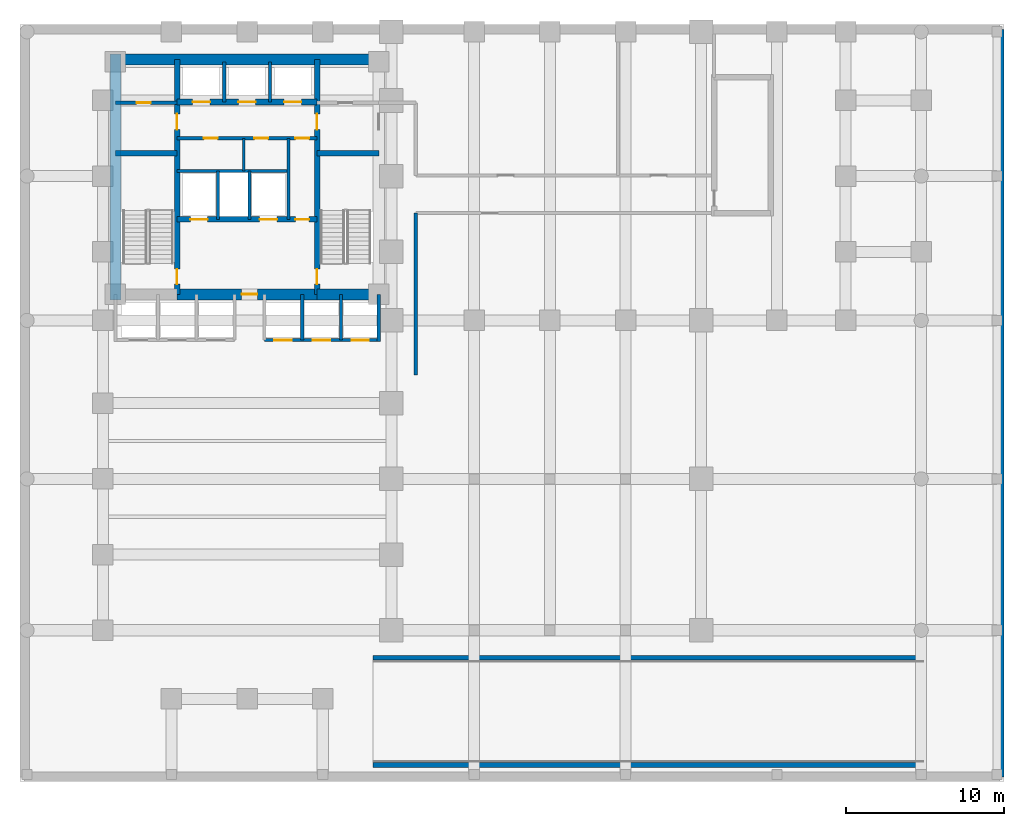
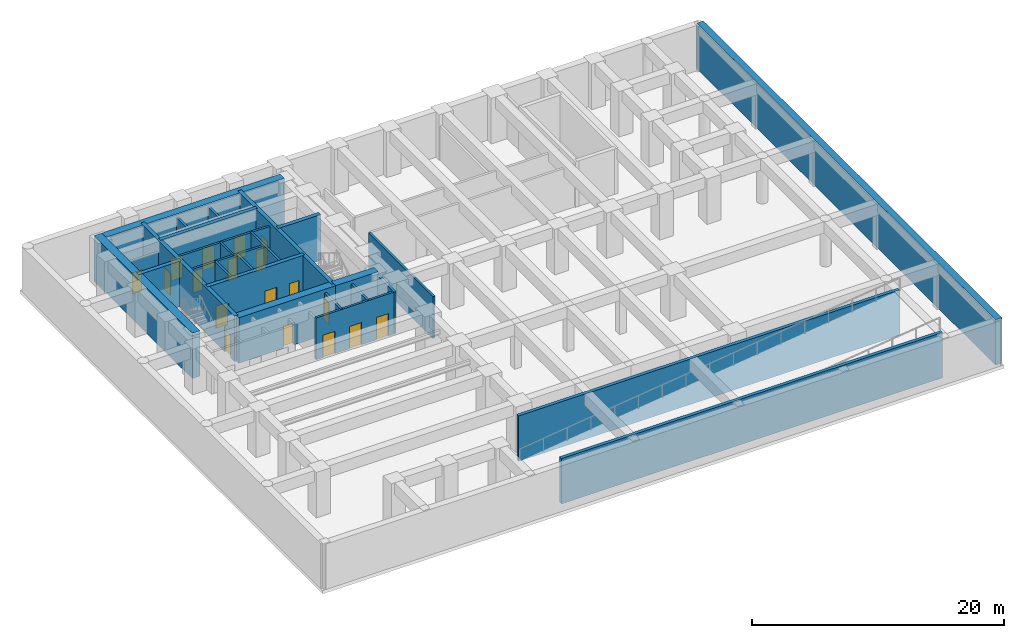
# One storey, part 3 of 6: 27 walls, 18 doors, 18 openings.
"""IFC4 building model written with IfcOpenShell, lengths in metres."""

from ifc_helpers import new_model, si_unit, direction, frame, frame_2d, origin, place, context, subcontext, project, spatial, rectangle, extrude, material, layer, layer_set, type_object, element, fill, save


model = new_model("IFC4")

# Units and contexts
model_context = context("Model", 3, precision=1e-05, world=origin(), true_north=direction((0.0, 1.0)))
body_context = subcontext(model_context, "Body", "Model", "MODEL_VIEW")
ifc_project = project(units=[si_unit("LENGTHUNIT", "METRE"), si_unit("AREAUNIT", "SQUARE_METRE"), si_unit("VOLUMEUNIT", "CUBIC_METRE"), si_unit("PLANEANGLEUNIT", "RADIAN"), si_unit("MASSUNIT", "GRAM", prefix="KILO")], contexts=[model_context])

# Site, building, storey
site_placement = place(None, origin())
site = spatial("IfcSite", under=ifc_project, at=site_placement, CompositionType="ELEMENT")
building_placement = place(site_placement, origin())
building = spatial("IfcBuilding", under=site, at=building_placement, Name="Orvandelia Arch Residences", CompositionType="ELEMENT")
storey_placement = place(building_placement, frame((0.0, 0.0, -4.39990234375)))
storey = spatial("IfcBuildingStorey", under=building, at=storey_placement, Name="B1", CompositionType="ELEMENT", Elevation=-4.39990234375)

# Wall, openings, doors
ifc_material_1 = material(Name="Concrete C50/60", Category="concrete")
ifc_layer_1 = layer(ifc_material_1, 0.35009765625, Name="Concrete C50/60", Category="concrete")
ifc_layer_set_1 = layer_set([ifc_layer_1], Name="Concrete C50/60")
wall_type_1 = type_object("IfcWallType", Name="WL-CORE-350", PredefinedType="SHEAR", material=ifc_layer_set_1)
wall_1_placement = place(storey_placement, frame((9.9599609375, 30.89990234375, 0.0), z_axis=(0.0, 0.0, 1.0), x_axis=(0.0, 1.0, 0.0)))
wall_1 = element("IfcWall", 1, at=wall_1_placement, inside=storey, type_object=wall_type_1, Name="Core Shear Wall B1-WEB1", PredefinedType="SHEAR", context=body_context, shape_type="SweptSolid", body=[
    extrude(rectangle(XDim=14.900146484375, YDim=0.35009765625, at=frame_2d((7.4501953125, 0.0))), origin(), (0.0, 0.0, 1.0), 4.39990234375),
])
opening_1_placement = place(wall_1_placement, frame((0.64990234375, 0.0, 0.0)))
opening_1 = element("IfcOpeningElement", 2, at=opening_1_placement, cuts=wall_1, Name="Opening D7", PredefinedType="OPENING", context=body_context, shape_type="SweptSolid", body=[
    extrude(rectangle(XDim=0.949951171875, YDim=2.10009765625, at=frame_2d((0.47509765625, 1.050048828125))), frame((0.0, 0.18505859375, 0.0), z_axis=(0.0, -1.0, 0.0), x_axis=(1.0, 0.0, 0.0)), (0.0, 0.0, 1.0), 0.3701171875),
])
opening_2_placement = place(wall_1_placement, frame((10.449951171875, 0.0, 0.0)))
opening_2 = element("IfcOpeningElement", 3, at=opening_2_placement, cuts=wall_1, Name="Opening D6", PredefinedType="OPENING", context=body_context, shape_type="SweptSolid", body=[
    extrude(rectangle(XDim=1.0, YDim=2.14990234375, at=frame_2d((0.5, 1.074951171875))), frame((0.0, 0.18505859375, 0.0), z_axis=(0.0, -1.0, 0.0), x_axis=(1.0, 0.0, 0.0)), (0.0, 0.0, 1.0), 0.3701171875),
])
ifc_material_2 = material(Name="Smokeproof Painted Steel Fire Door", Category="steel")
door_type_1 = type_object("IfcDoorType", Name="DR-FD60-1000", OperationType="NOTDEFINED", PredefinedType="DOOR", material=ifc_material_2)
door_1_placement = place(opening_2_placement, origin())
door_1 = element("IfcDoor", 4, at=door_1_placement, inside=storey, type_object=door_type_1, Name="High-Rise Lift Hall West Vestibule Door B1", OperationType="SINGLE_SWING_LEFT", OverallHeight=2.14990234375, OverallWidth=1.0, PredefinedType="DOOR", context=body_context, shape_type="SweptSolid", body=[
    extrude(rectangle(XDim=1.0, YDim=2.14990234375, at=frame_2d((0.5, 1.074951171875))), frame((0.0, 0.02490234375, 0.0), z_axis=(0.0, -1.0, 0.0), x_axis=(1.0, 0.0, 0.0)), (0.0, 0.0, 1.0), 0.050048828125),
])
fill(opening_2, door_1)
ifc_material_3 = material(Name="Pressurised Stairwell Fire Door")
door_type_2 = type_object("IfcDoorType", Name="DR-STAIR-950", OperationType="NOTDEFINED", PredefinedType="DOOR", material=ifc_material_3)
door_2_placement = place(opening_1_placement, origin())
door_2 = element("IfcDoor", 5, at=door_2_placement, inside=storey, type_object=door_type_2, Name="Stairwell ST-1 Fire Door B1", OperationType="SINGLE_SWING_LEFT", OverallHeight=2.10009765625, OverallWidth=0.949951171875, PredefinedType="DOOR", context=body_context, shape_type="SweptSolid", body=[
    extrude(rectangle(XDim=0.949951171875, YDim=2.10009765625, at=frame_2d((0.47509765625, 1.050048828125))), frame((0.0, 0.02490234375, 0.0), z_axis=(0.0, -1.0, 0.0), x_axis=(1.0, 0.0, 0.0)), (0.0, 0.0, 1.0), 0.050048828125),
])
fill(opening_1, door_2)

wall_2_placement = place(storey_placement, frame((18.840087890625, 30.89990234375, 0.0), z_axis=(0.0, 0.0, 1.0), x_axis=(0.0, 1.0, 0.0)))
wall_2 = element("IfcWall", 6, at=wall_2_placement, inside=storey, type_object=wall_type_1, Name="Core Shear Wall B1-WEB2", PredefinedType="SHEAR", context=body_context, shape_type="SweptSolid", body=[
    extrude(rectangle(XDim=14.900146484375, YDim=0.35009765625, at=frame_2d((7.4501953125, 0.0))), origin(), (0.0, 0.0, 1.0), 4.39990234375),
])
opening_3_placement = place(wall_2_placement, frame((0.64990234375, 0.0, 0.0)))
opening_3 = element("IfcOpeningElement", 7, at=opening_3_placement, cuts=wall_2, Name="Opening D7", PredefinedType="OPENING", context=body_context, shape_type="SweptSolid", body=[
    extrude(rectangle(XDim=0.949951171875, YDim=2.10009765625, at=frame_2d((0.47509765625, 1.050048828125))), frame((0.0, 0.18505859375, 0.0), z_axis=(0.0, -1.0, 0.0), x_axis=(1.0, 0.0, 0.0)), (0.0, 0.0, 1.0), 0.3701171875),
])
opening_4_placement = place(wall_2_placement, frame((10.449951171875, 0.0, 0.0)))
opening_4 = element("IfcOpeningElement", 8, at=opening_4_placement, cuts=wall_2, Name="Opening D6", PredefinedType="OPENING", context=body_context, shape_type="SweptSolid", body=[
    extrude(rectangle(XDim=1.0, YDim=2.14990234375, at=frame_2d((0.5, 1.074951171875))), frame((0.0, 0.18505859375, 0.0), z_axis=(0.0, -1.0, 0.0), x_axis=(1.0, 0.0, 0.0)), (0.0, 0.0, 1.0), 0.3701171875),
])
door_3_placement = place(opening_4_placement, origin())
door_3 = element("IfcDoor", 9, at=door_3_placement, inside=storey, type_object=door_type_1, Name="High-Rise Lift Hall East Vestibule Door B1", OperationType="SINGLE_SWING_RIGHT", OverallHeight=2.14990234375, OverallWidth=1.0, PredefinedType="DOOR", context=body_context, shape_type="SweptSolid", body=[
    extrude(rectangle(XDim=1.0, YDim=2.14990234375, at=frame_2d((0.5, 1.074951171875))), frame((0.0, 0.02490234375, 0.0), z_axis=(0.0, -1.0, 0.0), x_axis=(1.0, 0.0, 0.0)), (0.0, 0.0, 1.0), 0.050048828125),
])
fill(opening_4, door_3)
door_4_placement = place(opening_3_placement, origin())
door_4 = element("IfcDoor", 10, at=door_4_placement, inside=storey, type_object=door_type_2, Name="Stairwell ST-2 Fire Door B1", OperationType="SINGLE_SWING_RIGHT", OverallHeight=2.10009765625, OverallWidth=0.949951171875, PredefinedType="DOOR", context=body_context, shape_type="SweptSolid", body=[
    extrude(rectangle(XDim=0.949951171875, YDim=2.10009765625, at=frame_2d((0.47509765625, 1.050048828125))), frame((0.0, 0.02490234375, 0.0), z_axis=(0.0, -1.0, 0.0), x_axis=(1.0, 0.0, 0.0)), (0.0, 0.0, 1.0), 0.050048828125),
])
fill(opening_3, door_4)

# Walls
for number, where, z_axis, x_axis, name in (
    (11, (6.050048828125, 39.85009765625, 0.0), (0.0, 0.0, 1.0), (1.0, 0.0, 0.0), "Core Shear Wall B1-HZ1"),
    (12, (18.840087890625, 39.85009765625, 0.0), (0.0, 0.0, 1.0), (1.0, 0.0, 0.0), "Core Shear Wall B1-HZ2"),
):
    element("IfcWall", number, at=place(storey_placement, frame(where, z_axis=z_axis, x_axis=x_axis)), inside=storey, type_object=wall_type_1, Name=name, PredefinedType="SHEAR", context=body_context, shape_type="SweptSolid", body=[
        extrude(rectangle(XDim=3.909912109375, YDim=0.35009765625, at=frame_2d((1.955078125, 0.0))), origin(), (0.0, 0.0, 1.0), 4.39990234375),
    ])

# Wall, openings, doors
wall_3_placement = place(storey_placement, frame((9.9599609375, 35.64990234375, 0.0), z_axis=(0.0, 0.0, 1.0), x_axis=(1.0, 0.0, 0.0)))
wall_3 = element("IfcWall", 13, at=wall_3_placement, inside=storey, type_object=wall_type_1, Name="Core Shear Wall B1-HZ3", PredefinedType="SHEAR", context=body_context, shape_type="SweptSolid", body=[
    extrude(rectangle(XDim=8.880126953125, YDim=0.35009765625, at=frame_2d((4.43994140625, 0.0))), origin(), (0.0, 0.0, 1.0), 4.39990234375),
])
opening_5_placement = place(wall_3_placement, frame((0.840087890625, 0.0, 0.0)))
opening_5 = element("IfcOpeningElement", 14, at=opening_5_placement, cuts=wall_3, Name="Opening FLD", PredefinedType="OPENING", context=body_context, shape_type="SweptSolid", body=[
    extrude(rectangle(XDim=1.10009765625, YDim=2.14990234375, at=frame_2d((0.550048828125, 1.074951171875))), frame((0.0, 0.18505859375, 0.0), z_axis=(0.0, -1.0, 0.0), x_axis=(1.0, 0.0, 0.0)), (0.0, 0.0, 1.0), 0.3701171875),
])
opening_6_placement = place(wall_3_placement, frame((5.239990234375, 0.0, 0.0)))
opening_6 = element("IfcOpeningElement", 15, at=opening_6_placement, cuts=wall_3, Name="Opening FLD", PredefinedType="OPENING", context=body_context, shape_type="SweptSolid", body=[
    extrude(rectangle(XDim=1.10009765625, YDim=2.14990234375, at=frame_2d((0.550048828125, 1.074951171875))), frame((0.0, 0.18505859375, 0.0), z_axis=(0.0, -1.0, 0.0), x_axis=(1.0, 0.0, 0.0)), (0.0, 0.0, 1.0), 0.3701171875),
])
opening_7_placement = place(wall_3_placement, frame((7.5, 0.0, 0.0)))
opening_7 = element("IfcOpeningElement", 16, at=opening_7_placement, cuts=wall_3, Name="Opening D5", PredefinedType="OPENING", context=body_context, shape_type="SweptSolid", body=[
    extrude(rectangle(XDim=0.8798828125, YDim=2.10009765625, at=frame_2d((0.43994140625, 1.050048828125))), frame((0.0, 0.18505859375, 0.0), z_axis=(0.0, -1.0, 0.0), x_axis=(1.0, 0.0, 0.0)), (0.0, 0.0, 1.0), 0.3701171875),
])
ifc_material_4 = material(Name="Firefighting Lift Stainless Sliding Door")
door_type_3 = type_object("IfcDoorType", Name="DR-FLFT-1100", OperationType="NOTDEFINED", PredefinedType="DOOR", material=ifc_material_4)
door_5_placement = place(opening_5_placement, origin())
door_5 = element("IfcDoor", 17, at=door_5_placement, inside=storey, type_object=door_type_3, Name="Firefighting Lift Landing Door FLD-FL1-B1", OperationType="SLIDING_TO_LEFT", OverallHeight=2.14990234375, OverallWidth=1.10009765625, PredefinedType="DOOR", context=body_context, shape_type="SweptSolid", body=[
    extrude(rectangle(XDim=1.10009765625, YDim=2.14990234375, at=frame_2d((0.550048828125, 1.074951171875))), frame((0.0, 0.02490234375, 0.0), z_axis=(0.0, -1.0, 0.0), x_axis=(1.0, 0.0, 0.0)), (0.0, 0.0, 1.0), 0.050048828125),
])
fill(opening_5, door_5)
door_6_placement = place(opening_6_placement, origin())
door_6 = element("IfcDoor", 18, at=door_6_placement, inside=storey, type_object=door_type_3, Name="Firefighting Lift Landing Door FLD-FL2-B1", OperationType="SLIDING_TO_RIGHT", OverallHeight=2.14990234375, OverallWidth=1.10009765625, PredefinedType="DOOR", context=body_context, shape_type="SweptSolid", body=[
    extrude(rectangle(XDim=1.10009765625, YDim=2.14990234375, at=frame_2d((0.550048828125, 1.074951171875))), frame((0.0, 0.02490234375, 0.0), z_axis=(0.0, -1.0, 0.0), x_axis=(1.0, 0.0, 0.0)), (0.0, 0.0, 1.0), 0.050048828125),
])
fill(opening_6, door_6)
ifc_material_5 = material(Name="Painted Galvanised Steel Service Door", Category="steel")
door_type_4 = type_object("IfcDoorType", Name="DR-SRV-880", OperationType="NOTDEFINED", PredefinedType="DOOR", material=ifc_material_5)
door_7_placement = place(opening_7_placement, origin())
door_7 = element("IfcDoor", 19, at=door_7_placement, inside=storey, type_object=door_type_4, Name="Core Stairway Passage South Fire Door B1", OperationType="SINGLE_SWING_LEFT", OverallHeight=2.10009765625, OverallWidth=0.8798828125, PredefinedType="DOOR", context=body_context, shape_type="SweptSolid", body=[
    extrude(rectangle(XDim=0.8798828125, YDim=2.10009765625, at=frame_2d((0.43994140625, 1.050048828125))), frame((0.0, 0.02490234375, 0.0), z_axis=(0.0, -1.0, 0.0), x_axis=(1.0, 0.0, 0.0)), (0.0, 0.0, 1.0), 0.050048828125),
])
fill(opening_7, door_7)

wall_4_placement = place(storey_placement, frame((9.9599609375, 43.10009765625, 0.0), z_axis=(0.0, 0.0, 1.0), x_axis=(1.0, 0.0, 0.0)))
wall_4 = element("IfcWall", 20, at=wall_4_placement, inside=storey, type_object=wall_type_1, Name="Core Shear Wall B1-HZ4", PredefinedType="SHEAR", context=body_context, shape_type="SweptSolid", body=[
    extrude(rectangle(XDim=8.880126953125, YDim=0.35009765625, at=frame_2d((4.43994140625, 0.0))), origin(), (0.0, 0.0, 1.0), 4.39990234375),
])
opening_8_placement = place(wall_4_placement, frame((0.989990234375, 0.0, 0.0)))
opening_8 = element("IfcOpeningElement", 21, at=opening_8_placement, cuts=wall_4, Name="Opening LD", PredefinedType="OPENING", context=body_context, shape_type="SweptSolid", body=[
    extrude(rectangle(XDim=1.10009765625, YDim=2.14990234375, at=frame_2d((0.550048828125, 1.074951171875))), frame((0.0, 0.18505859375, 0.0), z_axis=(0.0, -1.0, 0.0), x_axis=(1.0, 0.0, 0.0)), (0.0, 0.0, 1.0), 0.3701171875),
])
opening_9_placement = place(wall_4_placement, frame((3.889892578125, 0.0, 0.0)))
opening_9 = element("IfcOpeningElement", 22, at=opening_9_placement, cuts=wall_4, Name="Opening LD", PredefinedType="OPENING", context=body_context, shape_type="SweptSolid", body=[
    extrude(rectangle(XDim=1.10009765625, YDim=2.14990234375, at=frame_2d((0.550048828125, 1.074951171875))), frame((0.0, 0.18505859375, 0.0), z_axis=(0.0, -1.0, 0.0), x_axis=(1.0, 0.0, 0.0)), (0.0, 0.0, 1.0), 0.3701171875),
])
opening_10_placement = place(wall_4_placement, frame((6.7900390625, 0.0, 0.0)))
opening_10 = element("IfcOpeningElement", 23, at=opening_10_placement, cuts=wall_4, Name="Opening LD", PredefinedType="OPENING", context=body_context, shape_type="SweptSolid", body=[
    extrude(rectangle(XDim=1.10009765625, YDim=2.14990234375, at=frame_2d((0.550048828125, 1.074951171875))), frame((0.0, 0.18505859375, 0.0), z_axis=(0.0, -1.0, 0.0), x_axis=(1.0, 0.0, 0.0)), (0.0, 0.0, 1.0), 0.3701171875),
])
ifc_material_6 = material(Name="Brushed Stainless Steel Sliding Lift Door", Category="steel")
door_type_5 = type_object("IfcDoorType", Name="DR-LIFT-1100", OperationType="NOTDEFINED", PredefinedType="DOOR", material=ifc_material_6)
door_8_placement = place(opening_8_placement, origin())
door_8 = element("IfcDoor", 24, at=door_8_placement, inside=storey, type_object=door_type_5, Name="Lift Landing Door LD-PH1-B1", OperationType="SLIDING_TO_LEFT", OverallHeight=2.14990234375, OverallWidth=1.10009765625, PredefinedType="DOOR", context=body_context, shape_type="SweptSolid", body=[
    extrude(rectangle(XDim=1.10009765625, YDim=2.14990234375, at=frame_2d((0.550048828125, 1.074951171875))), frame((0.0, 0.02490234375, 0.0), z_axis=(0.0, -1.0, 0.0), x_axis=(1.0, 0.0, 0.0)), (0.0, 0.0, 1.0), 0.050048828125),
])
fill(opening_8, door_8)
door_9_placement = place(opening_9_placement, origin())
door_9 = element("IfcDoor", 25, at=door_9_placement, inside=storey, type_object=door_type_5, Name="Lift Landing Door LD-PH2-B1", OperationType="SLIDING_TO_RIGHT", OverallHeight=2.14990234375, OverallWidth=1.10009765625, PredefinedType="DOOR", context=body_context, shape_type="SweptSolid", body=[
    extrude(rectangle(XDim=1.10009765625, YDim=2.14990234375, at=frame_2d((0.550048828125, 1.074951171875))), frame((0.0, 0.02490234375, 0.0), z_axis=(0.0, -1.0, 0.0), x_axis=(1.0, 0.0, 0.0)), (0.0, 0.0, 1.0), 0.050048828125),
])
fill(opening_9, door_9)
door_10_placement = place(opening_10_placement, origin())
door_10 = element("IfcDoor", 26, at=door_10_placement, inside=storey, type_object=door_type_5, Name="Lift Landing Door LD-PH3-B1", OperationType="SLIDING_TO_LEFT", OverallHeight=2.14990234375, OverallWidth=1.10009765625, PredefinedType="DOOR", context=body_context, shape_type="SweptSolid", body=[
    extrude(rectangle(XDim=1.10009765625, YDim=2.14990234375, at=frame_2d((0.550048828125, 1.074951171875))), frame((0.0, 0.02490234375, 0.0), z_axis=(0.0, -1.0, 0.0), x_axis=(1.0, 0.0, 0.0)), (0.0, 0.0, 1.0), 0.050048828125),
])
fill(opening_10, door_10)

# Walls
ifc_material_7 = material(Name="Concrete C80/95", Category="concrete")
ifc_layer_2 = layer(ifc_material_7, 0.699951171875, Name="Concrete C80/95", Category="concrete")
ifc_layer_set_2 = layer_set([ifc_layer_2], Name="Concrete C80/95")
wall_type_2 = type_object("IfcWallType", Name="WL-CORE-700", PredefinedType="SHEAR", material=ifc_layer_set_2)
wall_5_placement = place(storey_placement, frame((6.050048828125, 30.550048828125, 0.0), z_axis=(0.0, 0.0, 1.0), x_axis=(0.0, 1.0, 0.0)))
element("IfcWall", 27, at=wall_5_placement, inside=storey, type_object=wall_type_2, Name="Core Shear Wall B1-W", PredefinedType="SHEAR", context=body_context, shape_type="SweptSolid", body=[
    extrude(rectangle(XDim=15.599853515625, YDim=0.699951171875, at=frame_2d((7.7998046875, 0.0))), origin(), (0.0, 0.0, 1.0), 4.39990234375),
])
wall_6_placement = place(storey_placement, frame((6.050048828125, 45.800048828125, 0.0), z_axis=(0.0, 0.0, 1.0), x_axis=(1.0, 0.0, 0.0)))
element("IfcWall", 28, at=wall_6_placement, inside=storey, type_object=wall_type_2, Name="Core Shear Wall B1-N", PredefinedType="SHEAR", context=body_context, shape_type="SweptSolid", body=[
    extrude(rectangle(XDim=16.699951171875, YDim=0.699951171875, at=frame_2d((8.35009765625, 0.0))), origin(), (0.0, 0.0, 1.0), 4.39990234375),
])

# Wall, opening, door
wall_7_placement = place(storey_placement, frame((9.9599609375, 30.89990234375, 0.0), z_axis=(0.0, 0.0, 1.0), x_axis=(1.0, 0.0, 0.0)))
wall_7 = element("IfcWall", 29, at=wall_7_placement, inside=storey, type_object=wall_type_2, Name="Core Shear Wall B1-SM", PredefinedType="SHEAR", context=body_context, shape_type="SweptSolid", body=[
    extrude(rectangle(XDim=8.880126953125, YDim=0.699951171875, at=frame_2d((4.43994140625, 0.0))), origin(), (0.0, 0.0, 1.0), 4.39990234375),
])
opening_11_placement = place(wall_7_placement, frame((4.090087890625, 0.0, 0.0)))
opening_11 = element("IfcOpeningElement", 30, at=opening_11_placement, cuts=wall_7, Name="Opening D6", PredefinedType="OPENING", context=body_context, shape_type="SweptSolid", body=[
    extrude(rectangle(XDim=1.0, YDim=2.14990234375, at=frame_2d((0.5, 1.074951171875))), frame((0.0, 0.35986328125, 0.0), z_axis=(0.0, -1.0, 0.0), x_axis=(1.0, 0.0, 0.0)), (0.0, 0.0, 1.0), 0.719970703125),
])
door_11_placement = place(opening_11_placement, origin())
door_11 = element("IfcDoor", 31, at=door_11_placement, inside=storey, type_object=door_type_1, Name="Firefighting Lobby Smokeproof Door B1", OperationType="SINGLE_SWING_LEFT", OverallHeight=2.14990234375, OverallWidth=1.0, PredefinedType="DOOR", context=body_context, shape_type="SweptSolid", body=[
    extrude(rectangle(XDim=1.0, YDim=2.14990234375, at=frame_2d((0.5, 1.074951171875))), frame((0.0, 0.02490234375, 0.0), z_axis=(0.0, -1.0, 0.0), x_axis=(1.0, 0.0, 0.0)), (0.0, 0.0, 1.0), 0.050048828125),
])
fill(opening_11, door_11)

# Walls
wall_8_placement = place(storey_placement, frame((18.840087890625, 30.89990234375, 0.0), z_axis=(0.0, 0.0, 1.0), x_axis=(1.0, 0.0, 0.0)))
element("IfcWall", 32, at=wall_8_placement, inside=storey, type_object=wall_type_2, Name="Core Shear Wall B1-SE", PredefinedType="SHEAR", context=body_context, shape_type="SweptSolid", body=[
    extrude(rectangle(XDim=3.909912109375, YDim=0.699951171875, at=frame_2d((1.955078125, 0.0))), origin(), (0.0, 0.0, 1.0), 4.39990234375),
])
ifc_material_8 = material(Name="Fire-Rated Corridor Partition")
ifc_layer_3 = layer(ifc_material_8, 0.199951171875, Name="Fire-Rated Corridor Partition")
ifc_layer_set_3 = layer_set([ifc_layer_3], Name="Fire-Rated Corridor Partition")
wall_type_3 = type_object("IfcWallType", Name="WL-CORR-200", PredefinedType="PARTITIONING", material=ifc_layer_set_3)
wall_9_placement = place(storey_placement, frame((25.10009765625, 25.800048828125, 0.0), z_axis=(0.0, 0.0, 1.0), x_axis=(0.0, 1.0, 0.0)))
element("IfcWall", 33, at=wall_9_placement, inside=storey, type_object=wall_type_3, Name="Interior Partition Wall WL-B1-BC-E1", PredefinedType="PARTITIONING", context=body_context, shape_type="SweptSolid", body=[
    extrude(rectangle(XDim=10.25, YDim=0.199951171875, at=frame_2d((5.125, 0.0))), origin(), (0.0, 0.0, 1.0), 4.0498046875),
])
ifc_material_9 = material(Name="Acoustic Gypsum Stud Partition")
ifc_layer_4 = layer(ifc_material_9, 0.14990234375, Name="Acoustic Gypsum Stud Partition")
ifc_layer_set_4 = layer_set([ifc_layer_4], Name="Acoustic Gypsum Stud Partition")
wall_type_4 = type_object("IfcWallType", Name="WL-PART-150", PredefinedType="PARTITIONING", material=ifc_layer_set_4)
wall_10_placement = place(storey_placement, frame((14.199951171875, 38.719970703125, 0.0), z_axis=(0.0, 0.0, 1.0), x_axis=(0.0, 1.0, 0.0)))
element("IfcWall", 34, at=wall_10_placement, inside=storey, type_object=wall_type_4, Name="Interior Partition Wall WL-B1-CSA-1", PredefinedType="PARTITIONING", context=body_context, shape_type="SweptSolid", body=[
    extrude(rectangle(XDim=2.080078125, YDim=0.14990234375, at=frame_2d((1.0400390625, 0.0))), origin(), (0.0, 0.0, 1.0), 4.0498046875),
])
ifc_material_10 = material(Name="Concrete C40/50", Category="concrete")
ifc_layer_5 = layer(ifc_material_10, 0.300048828125, Name="Concrete C40/50", Category="concrete")
ifc_layer_set_5 = layer_set([ifc_layer_5], Name="Concrete C40/50")
wall_type_5 = type_object("IfcWallType", Name="WL-RAMP-300", PredefinedType="SOLIDWALL", material=ifc_layer_set_5)
for number, where, z_axis, x_axis, name in (
    (35, (22.39990234375, 7.85009765625, 0.0), (0.0, 0.0, 1.0), (1.0, 0.0, 0.0), "Vehicle Ramp Bearing Wall B1-N"),
    (36, (22.39990234375, 1.050048828125, 0.0), (0.0, 0.0, 1.0), (1.0, 0.0, 0.0), "Vehicle Ramp Bearing Wall B1-S"),
):
    element("IfcWall", number, at=place(storey_placement, frame(where, z_axis=z_axis, x_axis=x_axis)), inside=storey, type_object=wall_type_5, Name=name, PredefinedType="SOLIDWALL", context=body_context, shape_type="SweptSolid", body=[
        extrude(rectangle(XDim=34.900146484375, YDim=0.300048828125, at=frame_2d((17.4501953125, 0.0))), origin(), (0.0, 0.0, 1.0), 4.39990234375),
    ])
ifc_layer_6 = layer(ifc_material_1, 0.60009765625, Name="Concrete C50/60", Category="concrete")
ifc_layer_set_6 = layer_set([ifc_layer_6], Name="Concrete C50/60")
wall_type_6 = type_object("IfcWallType", Name="WL-RET-600", PredefinedType="USERDEFINED", material=ifc_layer_set_6)
wall_11_placement = place(storey_placement, frame((62.10009765625, 0.300048828125, 0.0), z_axis=(0.0, 0.0, 1.0), x_axis=(0.0, 1.0, 0.0)))
element("IfcWall", 37, at=wall_11_placement, inside=storey, type_object=wall_type_6, Name="Basement Diaphragm Retaining Wall B1-E", ObjectType="RETAININGWALL", PredefinedType="USERDEFINED", context=body_context, shape_type="SweptSolid", body=[
    extrude(rectangle(XDim=47.39990234375, YDim=0.60009765625, at=frame_2d((23.699951171875, 0.0))), origin(), (0.0, 0.0, 1.0), 4.39990234375),
])
ifc_material_11 = material(Name="Fire-Rated Shaft Enclosure Wall")
ifc_layer_7 = layer(ifc_material_11, 0.199951171875, Name="Fire-Rated Shaft Enclosure Wall")
ifc_layer_set_7 = layer_set([ifc_layer_7], Name="Fire-Rated Shaft Enclosure Wall")
wall_type_7 = type_object("IfcWallType", Name="WL-SHAFT-200", PredefinedType="POLYGONAL", material=ifc_layer_set_7)
wall_12_placement = place(storey_placement, frame((9.9599609375, 38.719970703125, 0.0), z_axis=(0.0, 0.0, 1.0), x_axis=(1.0, 0.0, 0.0)))
element("IfcWall", 38, at=wall_12_placement, inside=storey, type_object=wall_type_7, Name="Interior Partition Wall WL-B1-FLN", PredefinedType="POLYGONAL", context=body_context, shape_type="SweptSolid", body=[
    extrude(rectangle(XDim=7.06005859375, YDim=0.199951171875, at=frame_2d((3.530029296875, 0.0))), origin(), (0.0, 0.0, 1.0), 4.0498046875),
])
for number, where, z_axis, x_axis, name in (
    (39, (12.550048828125, 35.64990234375, 0.0), (0.0, 0.0, 1.0), (0.0, 1.0, 0.0), "Interior Partition Wall WL-B1-FLM1"),
    (40, (14.550048828125, 35.64990234375, 0.0), (0.0, 0.0, 1.0), (0.0, 1.0, 0.0), "Interior Partition Wall WL-B1-FLM2"),
):
    element("IfcWall", number, at=place(storey_placement, frame(where, z_axis=z_axis, x_axis=x_axis)), inside=storey, type_object=wall_type_7, Name=name, PredefinedType="POLYGONAL", context=body_context, shape_type="SweptSolid", body=[
        extrude(rectangle(XDim=3.070068359375, YDim=0.199951171875, at=frame_2d((1.53515625, 0.0))), origin(), (0.0, 0.0, 1.0), 4.0498046875),
    ])
wall_13_placement = place(storey_placement, frame((17.02001953125, 35.64990234375, 0.0), z_axis=(0.0, 0.0, 1.0), x_axis=(0.0, 1.0, 0.0)))
element("IfcWall", 41, at=wall_13_placement, inside=storey, type_object=wall_type_7, Name="Interior Partition Wall WL-B1-FLM3", PredefinedType="POLYGONAL", context=body_context, shape_type="SweptSolid", body=[
    extrude(rectangle(XDim=5.150146484375, YDim=0.199951171875, at=frame_2d((2.5751953125, 0.0))), origin(), (0.0, 0.0, 1.0), 4.0498046875),
])

# Wall, openings, doors
wall_14_placement = place(storey_placement, frame((9.9599609375, 40.800048828125, 0.0), z_axis=(0.0, 0.0, 1.0), x_axis=(1.0, 0.0, 0.0)))
wall_14 = element("IfcWall", 42, at=wall_14_placement, inside=storey, type_object=wall_type_7, Name="Interior Partition Wall WL-B1-HLH-S", PredefinedType="POLYGONAL", context=body_context, shape_type="SweptSolid", body=[
    extrude(rectangle(XDim=8.880126953125, YDim=0.199951171875, at=frame_2d((4.43994140625, 0.0))), origin(), (0.0, 0.0, 1.0), 4.0498046875),
])
opening_12_placement = place(wall_14_placement, frame((7.5, 0.0, 0.0)))
opening_12 = element("IfcOpeningElement", 43, at=opening_12_placement, cuts=wall_14, Name="Opening D5", PredefinedType="OPENING", context=body_context, shape_type="SweptSolid", body=[
    extrude(rectangle(XDim=0.8798828125, YDim=2.10009765625, at=frame_2d((0.43994140625, 1.050048828125))), frame((0.0, 0.10986328125, 0.0), z_axis=(0.0, -1.0, 0.0), x_axis=(1.0, 0.0, 0.0)), (0.0, 0.0, 1.0), 0.219970703125),
])
opening_13_placement = place(wall_14_placement, frame((1.699951171875, 0.0, 0.0)))
opening_13 = element("IfcOpeningElement", 44, at=opening_13_placement, cuts=wall_14, Name="Opening D5", PredefinedType="OPENING", context=body_context, shape_type="SweptSolid", body=[
    extrude(rectangle(XDim=0.8798828125, YDim=2.10009765625, at=frame_2d((0.43994140625, 1.050048828125))), frame((0.0, 0.10986328125, 0.0), z_axis=(0.0, -1.0, 0.0), x_axis=(1.0, 0.0, 0.0)), (0.0, 0.0, 1.0), 0.219970703125),
])
opening_14_placement = place(wall_14_placement, frame((4.89990234375, 0.0, 0.0)))
opening_14 = element("IfcOpeningElement", 45, at=opening_14_placement, cuts=wall_14, Name="Opening D5", PredefinedType="OPENING", context=body_context, shape_type="SweptSolid", body=[
    extrude(rectangle(XDim=0.8798828125, YDim=2.10009765625, at=frame_2d((0.43994140625, 1.050048828125))), frame((0.0, 0.10986328125, 0.0), z_axis=(0.0, -1.0, 0.0), x_axis=(1.0, 0.0, 0.0)), (0.0, 0.0, 1.0), 0.219970703125),
])
door_12_placement = place(opening_12_placement, origin())
door_12 = element("IfcDoor", 46, at=door_12_placement, inside=storey, type_object=door_type_4, Name="Core Stairway Passage North Fire Door B1", OperationType="SINGLE_SWING_RIGHT", OverallHeight=2.10009765625, OverallWidth=0.8798828125, PredefinedType="DOOR", context=body_context, shape_type="SweptSolid", body=[
    extrude(rectangle(XDim=0.8798828125, YDim=2.10009765625, at=frame_2d((0.43994140625, 1.050048828125))), frame((0.0, 0.02490234375, 0.0), z_axis=(0.0, -1.0, 0.0), x_axis=(1.0, 0.0, 0.0)), (0.0, 0.0, 1.0), 0.050048828125),
])
fill(opening_12, door_12)
door_13_placement = place(opening_13_placement, origin())
door_13 = element("IfcDoor", 47, at=door_13_placement, inside=storey, type_object=door_type_4, Name="DR-B1-CSA1", OperationType="SINGLE_SWING_LEFT", OverallHeight=2.10009765625, OverallWidth=0.8798828125, PredefinedType="DOOR", context=body_context, shape_type="SweptSolid", body=[
    extrude(rectangle(XDim=0.8798828125, YDim=2.10009765625, at=frame_2d((0.43994140625, 1.050048828125))), frame((0.0, 0.02490234375, 0.0), z_axis=(0.0, -1.0, 0.0), x_axis=(1.0, 0.0, 0.0)), (0.0, 0.0, 1.0), 0.050048828125),
])
fill(opening_13, door_13)
door_14_placement = place(opening_14_placement, origin())
door_14 = element("IfcDoor", 48, at=door_14_placement, inside=storey, type_object=door_type_4, Name="DR-B1-CSA2", OperationType="SINGLE_SWING_RIGHT", OverallHeight=2.10009765625, OverallWidth=0.8798828125, PredefinedType="DOOR", context=body_context, shape_type="SweptSolid", body=[
    extrude(rectangle(XDim=0.8798828125, YDim=2.10009765625, at=frame_2d((0.43994140625, 1.050048828125))), frame((0.0, 0.02490234375, 0.0), z_axis=(0.0, -1.0, 0.0), x_axis=(1.0, 0.0, 0.0)), (0.0, 0.0, 1.0), 0.050048828125),
])
fill(opening_14, door_14)

# Wall, opening, door
wall_15_placement = place(storey_placement, frame((6.050048828125, 43.050048828125, 0.0), z_axis=(0.0, 0.0, 1.0), x_axis=(1.0, 0.0, 0.0)))
wall_15 = element("IfcWall", 49, at=wall_15_placement, inside=storey, type_object=wall_type_7, Name="Interior Partition Wall WL-B1-HLW-N", PredefinedType="POLYGONAL", context=body_context, shape_type="SweptSolid", body=[
    extrude(rectangle(XDim=3.909912109375, YDim=0.199951171875, at=frame_2d((1.955078125, 0.0))), origin(), (0.0, 0.0, 1.0), 3.27978515625),
])
opening_15_placement = place(wall_15_placement, frame((1.35009765625, 0.0, 0.0)))
opening_15 = element("IfcOpeningElement", 50, at=opening_15_placement, cuts=wall_15, Name="Opening D5", PredefinedType="OPENING", context=body_context, shape_type="SweptSolid", body=[
    extrude(rectangle(XDim=0.8798828125, YDim=2.10009765625, at=frame_2d((0.43994140625, 1.050048828125))), frame((0.0, 0.10986328125, 0.0), z_axis=(0.0, -1.0, 0.0), x_axis=(1.0, 0.0, 0.0)), (0.0, 0.0, 1.0), 0.219970703125),
])
door_15_placement = place(opening_15_placement, origin())
door_15 = element("IfcDoor", 51, at=door_15_placement, inside=storey, type_object=door_type_4, Name="Riser Service Door B1", OperationType="SINGLE_SWING_RIGHT", OverallHeight=2.10009765625, OverallWidth=0.8798828125, PredefinedType="DOOR", context=body_context, shape_type="SweptSolid", body=[
    extrude(rectangle(XDim=0.8798828125, YDim=2.10009765625, at=frame_2d((0.43994140625, 1.050048828125))), frame((0.0, 0.02490234375, 0.0), z_axis=(0.0, -1.0, 0.0), x_axis=(1.0, 0.0, 0.0)), (0.0, 0.0, 1.0), 0.050048828125),
])
fill(opening_15, door_15)

# Walls
for number, where, z_axis, x_axis, name in (
    (52, (12.949951171875, 43.10009765625, 0.0), (0.0, 0.0, 1.0), (0.0, 1.0, 0.0), "Interior Partition Wall WL-B1-PHD1"),
    (53, (15.85009765625, 43.10009765625, 0.0), (0.0, 0.0, 1.0), (0.0, 1.0, 0.0), "Interior Partition Wall WL-B1-PHD2"),
):
    element("IfcWall", number, at=place(storey_placement, frame(where, z_axis=z_axis, x_axis=x_axis)), inside=storey, type_object=wall_type_7, Name=name, PredefinedType="POLYGONAL", context=body_context, shape_type="SweptSolid", body=[
        extrude(rectangle(XDim=2.5498046875, YDim=0.199951171875, at=frame_2d((1.27490234375, 0.0))), origin(), (0.0, 0.0, 1.0), 4.0498046875),
    ])

# Wall, openings, doors
wall_16_placement = place(storey_placement, frame((15.5, 28.0, 0.0), z_axis=(0.0, 0.0, 1.0), x_axis=(1.0, 0.0, 0.0)))
wall_16 = element("IfcWall", 54, at=wall_16_placement, inside=storey, type_object=wall_type_7, Name="Interior Partition Wall WL-B1-BNKM-S", PredefinedType="POLYGONAL", context=body_context, shape_type="SweptSolid", body=[
    extrude(rectangle(XDim=7.25, YDim=0.199951171875, at=frame_2d((3.625, 0.0))), origin(), (0.0, 0.0, 1.0), 4.0498046875),
])
opening_16_placement = place(wall_16_placement, frame((0.625, 0.0, 0.0)))
opening_16 = element("IfcOpeningElement", 55, at=opening_16_placement, cuts=wall_16, Name="Opening LD", PredefinedType="OPENING", context=body_context, shape_type="SweptSolid", body=[
    extrude(rectangle(XDim=1.10009765625, YDim=2.14990234375, at=frame_2d((0.550048828125, 1.074951171875))), frame((0.0, 0.10986328125, 0.0), z_axis=(0.0, -1.0, 0.0), x_axis=(1.0, 0.0, 0.0)), (0.0, 0.0, 1.0), 0.219970703125),
])
opening_17_placement = place(wall_16_placement, frame((3.074951171875, 0.0, 0.0)))
opening_17 = element("IfcOpeningElement", 56, at=opening_17_placement, cuts=wall_16, Name="Opening LD", PredefinedType="OPENING", context=body_context, shape_type="SweptSolid", body=[
    extrude(rectangle(XDim=1.10009765625, YDim=2.14990234375, at=frame_2d((0.550048828125, 1.074951171875))), frame((0.0, 0.10986328125, 0.0), z_axis=(0.0, -1.0, 0.0), x_axis=(1.0, 0.0, 0.0)), (0.0, 0.0, 1.0), 0.219970703125),
])
opening_18_placement = place(wall_16_placement, frame((5.52490234375, 0.0, 0.0)))
opening_18 = element("IfcOpeningElement", 57, at=opening_18_placement, cuts=wall_16, Name="Opening LD", PredefinedType="OPENING", context=body_context, shape_type="SweptSolid", body=[
    extrude(rectangle(XDim=1.10009765625, YDim=2.14990234375, at=frame_2d((0.550048828125, 1.074951171875))), frame((0.0, 0.10986328125, 0.0), z_axis=(0.0, -1.0, 0.0), x_axis=(1.0, 0.0, 0.0)), (0.0, 0.0, 1.0), 0.219970703125),
])
door_16_placement = place(opening_16_placement, origin())
door_16 = element("IfcDoor", 58, at=door_16_placement, inside=storey, type_object=door_type_5, Name="Lift Landing Door LD-PM1", OperationType="SLIDING_TO_RIGHT", OverallHeight=2.14990234375, OverallWidth=1.10009765625, PredefinedType="DOOR", context=body_context, shape_type="SweptSolid", body=[
    extrude(rectangle(XDim=1.10009765625, YDim=2.14990234375, at=frame_2d((0.550048828125, 1.074951171875))), frame((0.0, 0.02490234375, 0.0), z_axis=(0.0, -1.0, 0.0), x_axis=(1.0, 0.0, 0.0)), (0.0, 0.0, 1.0), 0.050048828125),
])
fill(opening_16, door_16)
door_17_placement = place(opening_17_placement, origin())
door_17 = element("IfcDoor", 59, at=door_17_placement, inside=storey, type_object=door_type_5, Name="Lift Landing Door LD-PM2", OperationType="SLIDING_TO_LEFT", OverallHeight=2.14990234375, OverallWidth=1.10009765625, PredefinedType="DOOR", context=body_context, shape_type="SweptSolid", body=[
    extrude(rectangle(XDim=1.10009765625, YDim=2.14990234375, at=frame_2d((0.550048828125, 1.074951171875))), frame((0.0, 0.02490234375, 0.0), z_axis=(0.0, -1.0, 0.0), x_axis=(1.0, 0.0, 0.0)), (0.0, 0.0, 1.0), 0.050048828125),
])
fill(opening_17, door_17)
door_18_placement = place(opening_18_placement, origin())
door_18 = element("IfcDoor", 60, at=door_18_placement, inside=storey, type_object=door_type_5, Name="Lift Landing Door LD-PM3", OperationType="SLIDING_TO_RIGHT", OverallHeight=2.14990234375, OverallWidth=1.10009765625, PredefinedType="DOOR", context=body_context, shape_type="SweptSolid", body=[
    extrude(rectangle(XDim=1.10009765625, YDim=2.14990234375, at=frame_2d((0.550048828125, 1.074951171875))), frame((0.0, 0.02490234375, 0.0), z_axis=(0.0, -1.0, 0.0), x_axis=(1.0, 0.0, 0.0)), (0.0, 0.0, 1.0), 0.050048828125),
])
fill(opening_18, door_18)

# Walls
wall_17_placement = place(storey_placement, frame((22.75, 27.89990234375, 0.0), z_axis=(0.0, 0.0, 1.0), x_axis=(0.0, 1.0, 0.0)))
element("IfcWall", 61, at=wall_17_placement, inside=storey, type_object=wall_type_7, Name="Interior Partition Wall WL-B1-BNKM-E", PredefinedType="POLYGONAL", context=body_context, shape_type="SweptSolid", body=[
    extrude(rectangle(XDim=3.0, YDim=0.199951171875, at=frame_2d((1.5, 0.0))), origin(), (0.0, 0.0, 1.0), 4.0498046875),
])
for number, where, z_axis, x_axis, name in (
    (62, (17.89990234375, 28.0, 0.0), (0.0, 0.0, 1.0), (0.0, 1.0, 0.0), "Interior Partition Wall WL-B1-BNKD-1789"),
    (63, (20.35009765625, 28.0, 0.0), (0.0, 0.0, 1.0), (0.0, 1.0, 0.0), "Interior Partition Wall WL-B1-BNKD-2035"),
):
    element("IfcWall", number, at=place(storey_placement, frame(where, z_axis=z_axis, x_axis=x_axis)), inside=storey, type_object=wall_type_7, Name=name, PredefinedType="POLYGONAL", context=body_context, shape_type="SweptSolid", body=[
        extrude(rectangle(XDim=2.89990234375, YDim=0.199951171875, at=frame_2d((1.449951171875, 0.0))), origin(), (0.0, 0.0, 1.0), 4.0498046875),
    ])

save(model, "model.ifc")
